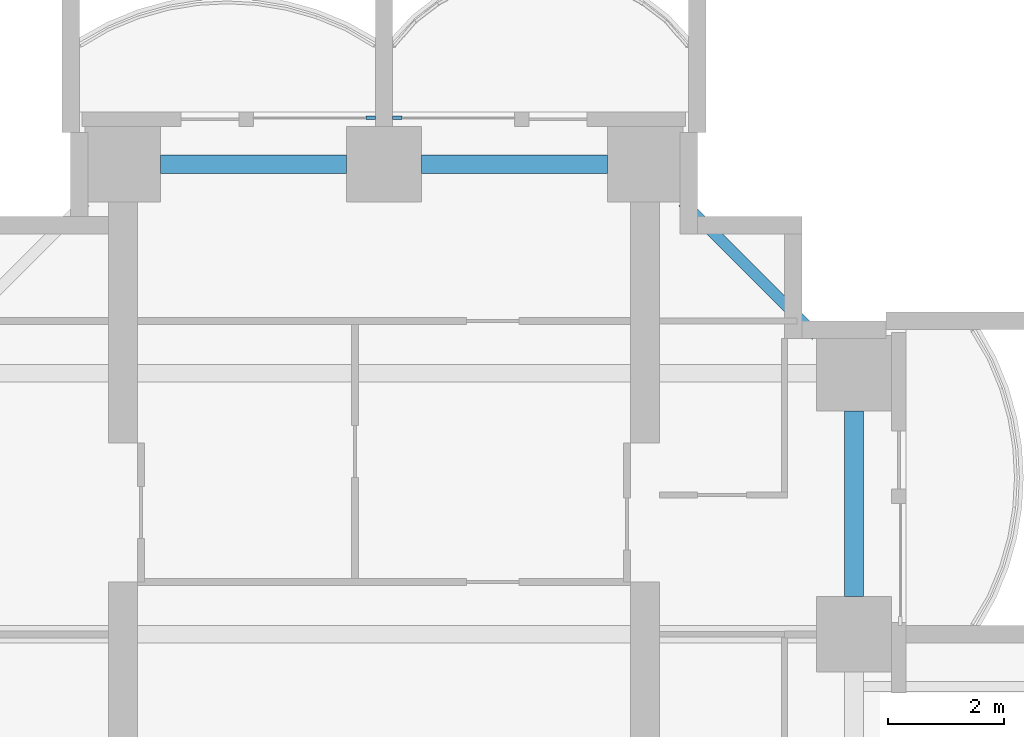
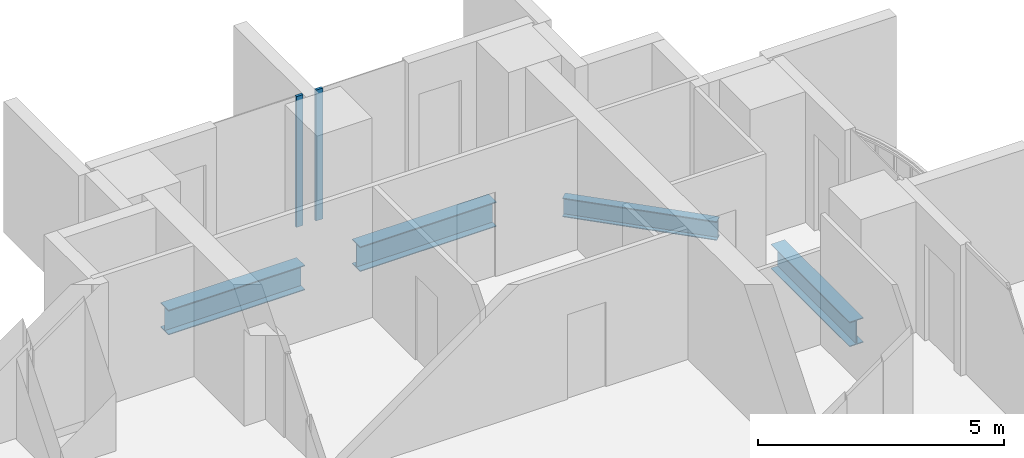
# One storey, part 7 of 21: 4 beams, 2 members, 2 elements without a shape of their own.
"""IFC4 building model written with IfcOpenShell, lengths in metres."""

from ifc_helpers import new_model, si_unit, direction, frame, origin, origin_2d, place, context, subcontext, project, spatial, rectangle, i_section, extrude, material, material_profile, profile_set, type_object, element, aggregate, save


model = new_model("IFC4")

# Units and contexts
model_context = context("Model", 3, precision=1e-05, world=origin(), true_north=direction((0.0, 1.0)))
body_context = subcontext(model_context, "Body", "Model", "MODEL_VIEW")
ifc_project = project(units=[si_unit("LENGTHUNIT", "METRE"), si_unit("AREAUNIT", "SQUARE_METRE"), si_unit("VOLUMEUNIT", "CUBIC_METRE"), si_unit("PLANEANGLEUNIT", "RADIAN"), si_unit("MASSUNIT", "GRAM", prefix="KILO")], contexts=[model_context])

# Site, building, storey
site_placement = place(None, origin())
site = spatial("IfcSite", under=ifc_project, at=site_placement, CompositionType="ELEMENT")
building_placement = place(site_placement, origin())
building = spatial("IfcBuilding", under=site, at=building_placement, Name="Perihelion Cross Residences", CompositionType="ELEMENT")
storey_placement = place(building_placement, frame((0.0, 0.0, 43.5)))
storey = spatial("IfcBuildingStorey", under=building, at=storey_placement, Name="L07", CompositionType="ELEMENT", Elevation=43.5)

# Curtain wall, member
ifc_material_1 = material(Name="Bronze anodised aluminium, tinted glazing", Category="aluminium")
curtain_wall_type = type_object("IfcCurtainWallType", Name="CW1", PredefinedType="NOTDEFINED", material=ifc_material_1)
curtain_wall_1_placement = place(storey_placement, origin())
curtain_wall_1 = element("IfcCurtainWall", 1, at=curtain_wall_1_placement, inside=storey, type_object=curtain_wall_type, Name="Curtain wall CW1 L07 north tip north bay 1", PredefinedType="NOTDEFINED")
ifc_material_2 = material(Name="Bronze anodised aluminium", Category="aluminium")
ifc_material_profile_1 = material_profile(ifc_material_2, rectangle(XDim=0.06005859375, YDim=0.159912109375, at=origin_2d()), Name="CW1 mullion")
ifc_profile_set_1 = profile_set([ifc_material_profile_1], Name="Bronze anodised aluminium")
member_type = type_object("IfcMemberType", Name="CW1 mullion", PredefinedType="MULLION", material=ifc_profile_set_1)
member_1_placement = place(storey_placement, frame((0.22998046875, 26.89990234375, 0.0), z_axis=(0.0, 0.0, 1.0), x_axis=(0.0, -1.0, 0.0)))
member_1 = element("IfcMember", 2, at=member_1_placement, type_object=member_type, Name="CW1 mullion 2", PredefinedType="MULLION", context=body_context, shape_type="SweptSolid", body=[
    extrude(rectangle(XDim=0.06005859375, YDim=0.159912109375, at=origin_2d()), origin(), (0.0, 0.0, 1.0), 3.25),
])
aggregate(curtain_wall_1, [member_1])

curtain_wall_2_placement = place(storey_placement, origin())
curtain_wall_2 = element("IfcCurtainWall", 3, at=curtain_wall_2_placement, inside=storey, type_object=curtain_wall_type, Name="Curtain wall CW1 L07 north tip north bay 2", PredefinedType="NOTDEFINED")
member_2_placement = place(storey_placement, frame((-0.22998046875, 26.89990234375, 0.0), z_axis=(0.0, 0.0, 1.0), x_axis=(0.0, -1.0, 0.0)))
member_2 = element("IfcMember", 4, at=member_2_placement, type_object=member_type, Name="CW1 mullion 1", PredefinedType="MULLION", context=body_context, shape_type="SweptSolid", body=[
    extrude(rectangle(XDim=0.06005859375, YDim=0.159912109375, at=origin_2d()), origin(), (0.0, 0.0, 1.0), 3.25),
])
aggregate(curtain_wall_2, [member_2])

# Beams
ifc_material_3 = material(Name="Steel S355", Category="steel")
ifc_material_profile_2 = material_profile(ifc_material_3, i_section(OverallWidth=0.324951171875, OverallDepth=0.616943359375, WebThickness=0.013916015625, FlangeThickness=0.021484375, at=origin_2d()), Name="W610x174")
ifc_profile_set_2 = profile_set([ifc_material_profile_2], Name="Steel S355")
beam_type_1 = type_object("IfcBeamType", Name="Edge beam W610x174", PredefinedType="SPANDREL", material=ifc_profile_set_2)
for number, where, z_axis, x_axis, name in (
    (5, (8.10009765625, 18.64990234375, -0.55859375), (0.0, 1.0, 0.0), (-1.0, 0.0, 0.0), "Edge beam SB2 L07 no. 19"),
    (6, (3.85009765625, 26.10009765625, -0.55859375), (-1.0, 0.0, 0.0), (0.0, -1.0, 0.0), "Edge beam SB2 L07 no. 15"),
    (7, (-0.64990234375, 26.10009765625, -0.55859375), (-1.0, 0.0, 0.0), (0.0, -1.0, 0.0), "Edge beam SB2 L07 no. 11"),
):
    element("IfcBeam", number, at=place(storey_placement, frame(where, z_axis=z_axis, x_axis=x_axis)), inside=storey, type_object=beam_type_1, Name=name, PredefinedType="SPANDREL", context=body_context, shape_type="SweptSolid", body=[
        extrude(i_section(OverallWidth=0.324951171875, OverallDepth=0.616943359375, WebThickness=0.013916015625, FlangeThickness=0.021484375, at=origin_2d()), origin(), (0.0, 0.0, 1.0), 3.2001953125),
    ])
ifc_material_4 = material(Name="Steel S355", Category="steel")
ifc_material_profile_3 = material_profile(ifc_material_4, i_section(OverallWidth=0.194091796875, OverallDepth=0.469970703125, WebThickness=0.0126953125, FlangeThickness=0.0205078125, at=origin_2d()), Name="W460x106")
ifc_profile_set_3 = profile_set([ifc_material_profile_3], Name="Steel S355")
beam_type_2 = type_object("IfcBeamType", Name="Serration edge beam W460x106", PredefinedType="BEAM", material=ifc_profile_set_3)
beam_placement = place(storey_placement, frame((7.449951171875, 23.14990234375, -0.485107421875), z_axis=(-0.707106781187, 0.707106781187, 0.0), x_axis=(-0.707106781187, -0.707106781187, 0.0)))
element("IfcBeam", 8, at=beam_placement, inside=storey, type_object=beam_type_2, Name="Serration edge beam EB2 L07 no. 4", PredefinedType="BEAM", context=body_context, shape_type="SweptSolid", body=[
    extrude(i_section(OverallWidth=0.194091796875, OverallDepth=0.469970703125, WebThickness=0.0126953125, FlangeThickness=0.0205078125, at=origin_2d()), origin(), (0.0, 0.0, 1.0), 3.252685546875),
])

save(model, "model.ifc")
